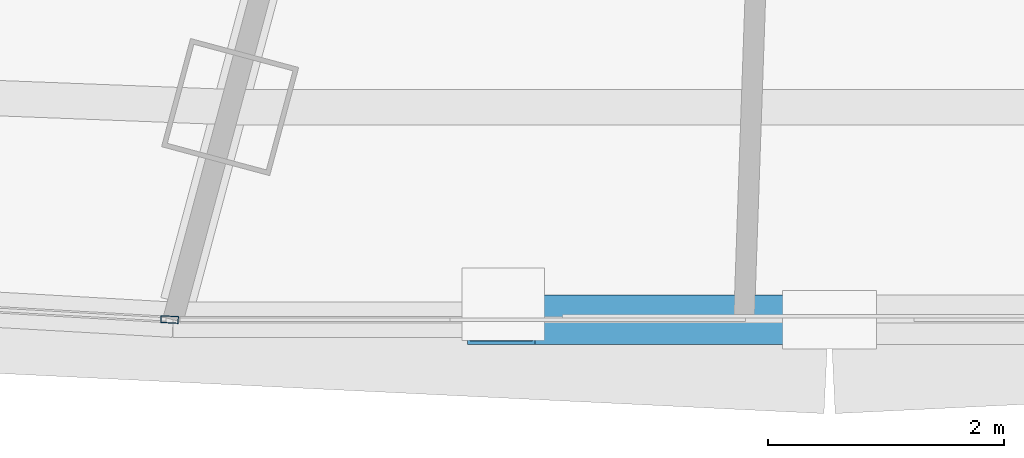
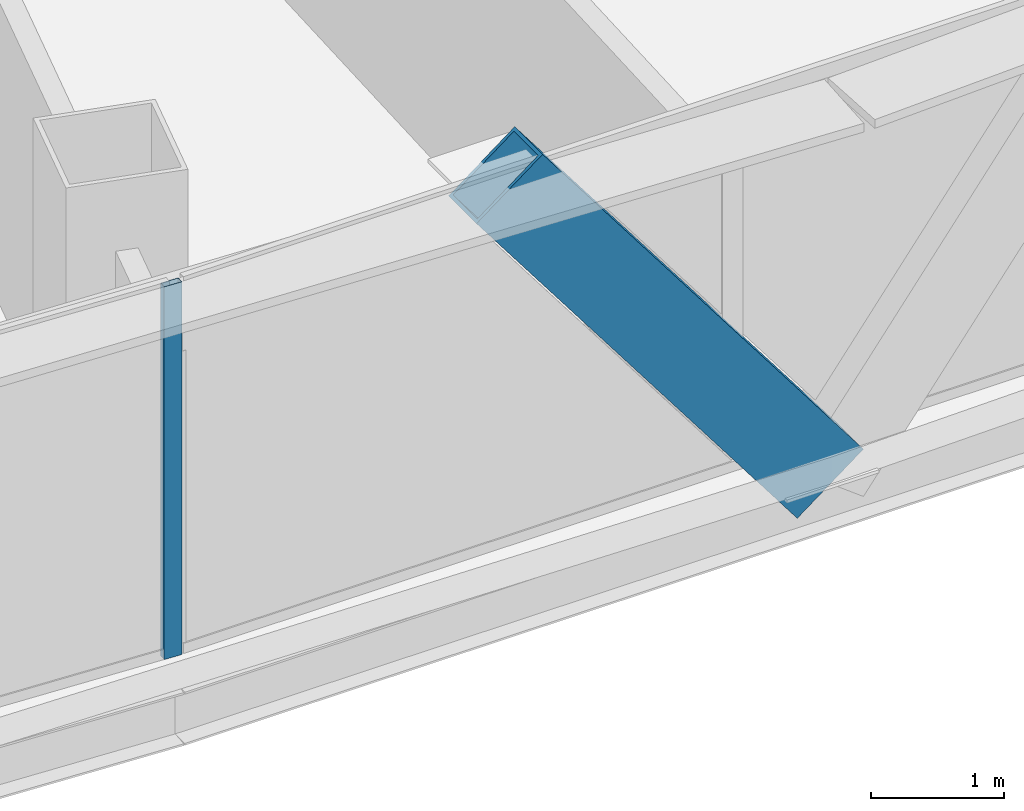
# One storey, part 10 of 42: 2 members, 1 element without a shape of its own.
"""IFC4 building model written with IfcOpenShell, lengths in metres."""

from ifc_helpers import new_model, si_unit, direction, frame, origin, origin_2d, place, context, subcontext, project, spatial, hollow_rectangle, extrude, source, transform, mapped, material, layer, layer_set, material_profile, profile_set, type_object, element, aggregate, save


model = new_model("IFC4")

# Units and contexts
model_context = context("Model", 3, precision=1e-05, world=origin(), true_north=direction((0.0, 1.0)))
body_context = subcontext(model_context, "Body", "Model", "MODEL_VIEW")
ifc_project = project(units=[si_unit("LENGTHUNIT", "METRE"), si_unit("AREAUNIT", "SQUARE_METRE"), si_unit("VOLUMEUNIT", "CUBIC_METRE"), si_unit("PLANEANGLEUNIT", "RADIAN"), si_unit("MASSUNIT", "GRAM", prefix="KILO"), si_unit("THERMODYNAMICTEMPERATUREUNIT", "KELVIN"), si_unit("POWERUNIT", "WATT")], contexts=[model_context])

# Site, building, storey
site_placement = place(None, origin())
site = spatial("IfcSite", under=ifc_project, at=site_placement, CompositionType="ELEMENT")
building_placement = place(site_placement, origin())
building = spatial("IfcBuilding", under=site, at=building_placement, Name="Yunzhuo Pagoda Commons", CompositionType="ELEMENT")
storey_placement = place(building_placement, frame((0.0, 0.0, 137.18994140625)))
storey = spatial("IfcBuildingStorey", under=building, at=storey_placement, Name="L34", CompositionType="ELEMENT", Elevation=137.18994140625)

# Member
ifc_material_1 = material(Name="Structural steel Q420B", Category="steel")
ifc_material_profile_1 = material_profile(ifc_material_1, hollow_rectangle(XDim=0.419921875, YDim=0.719970703125, WallThickness=0.028076171875, at=origin_2d()), Name="Structural steel Q420B")
ifc_profile_set_1 = profile_set([ifc_material_profile_1], Name="Structural steel Q420B")
member_type_1 = type_object("IfcMemberType", Name="M-DL1 Brace BOX 720x420x28", PredefinedType="BRACE", material=ifc_profile_set_1)
shared_shape_1 = source(origin(), body_context, "Body", "SweptSolid", [
    extrude(hollow_rectangle(XDim=0.419921875, YDim=0.719970703125, WallThickness=0.028076171875, at=origin_2d()), origin(), (0.0, 0.0, 1.0), 4.61474609375),
])
member_1_placement = place(storey_placement, frame((48.0, 12.917724609375, -0.260009765625), z_axis=(-0.603363570084, 0.0, 0.797466238969), x_axis=(0.0, -1.0, 0.0)))
element("IfcMember", 1, at=member_1_placement, inside=storey, type_object=member_type_1, Name="L34 facade diamond brace F1.2L", PredefinedType="BRACE", context=body_context, shape_type="MappedRepresentation", body=[
    mapped(shared_shape_1, transform((0.0, 0.0, 0.0), scale=1.0)),
])

# Curtain wall, member
ifc_material_2 = material(Name="Anodized aluminium 6063-T6", Category="aluminium")
ifc_layer = layer(ifc_material_2, 0.14990234375)
ifc_layer_set = layer_set([ifc_layer], Name="Anodized aluminium 6063-T6")
curtain_wall_type = type_object("IfcCurtainWallType", Name="CW-MID Mid-Zone Ribbon Curtain Wall", PredefinedType="NOTDEFINED", material=ifc_layer_set)
curtain_wall_placement = place(storey_placement, origin())
curtain_wall = element("IfcCurtainWall", 2, at=curtain_wall_placement, inside=storey, type_object=curtain_wall_type, Name="L34 curtain wall CW-L34-F1B2", PredefinedType="NOTDEFINED")
ifc_material_profile_2 = material_profile(ifc_material_2, hollow_rectangle(XDim=0.06005859375, YDim=0.14990234375, WallThickness=0.00390625, at=origin_2d()), Name="Anodized aluminium 6063-T6")
ifc_profile_set_2 = profile_set([ifc_material_profile_2], Name="Anodized aluminium 6063-T6")
member_type_2 = type_object("IfcMemberType", Name="CW-MID-M Mullion RHS 150x60x4", PredefinedType="MULLION", material=ifc_profile_set_2)
shared_shape_2 = source(origin(), body_context, "Body", "SweptSolid", [
    extrude(hollow_rectangle(XDim=0.06005859375, YDim=0.14990234375, WallThickness=0.00390625, at=origin_2d()), origin(), (0.0, 0.0, 1.0), 3.420166015625),
])
member_2_placement = place(storey_placement, frame((42.4013671875, 12.91943359375, 0.0), z_axis=(0.0, 0.0, 1.0), x_axis=(0.056741862165, 0.99838888269, 0.0)))
member_2 = element("IfcMember", 3, at=member_2_placement, type_object=member_type_2, Name="CW mullion 2", PredefinedType="MULLION", context=body_context, shape_type="MappedRepresentation", body=[
    mapped(shared_shape_2, transform((0.0, 0.0, 0.0), scale=1.0)),
])
aggregate(curtain_wall, [member_2])

save(model, "model.ifc")
